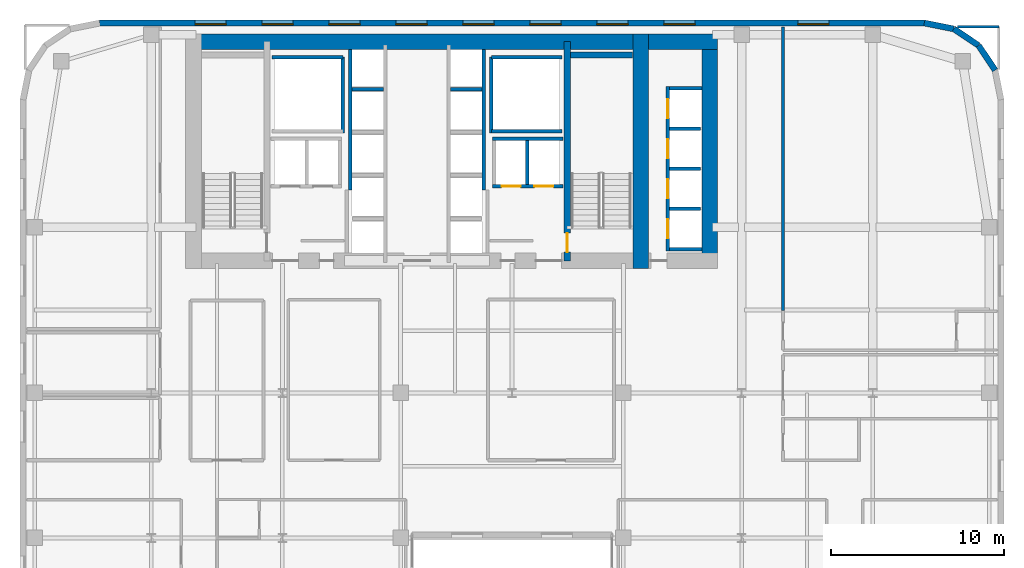
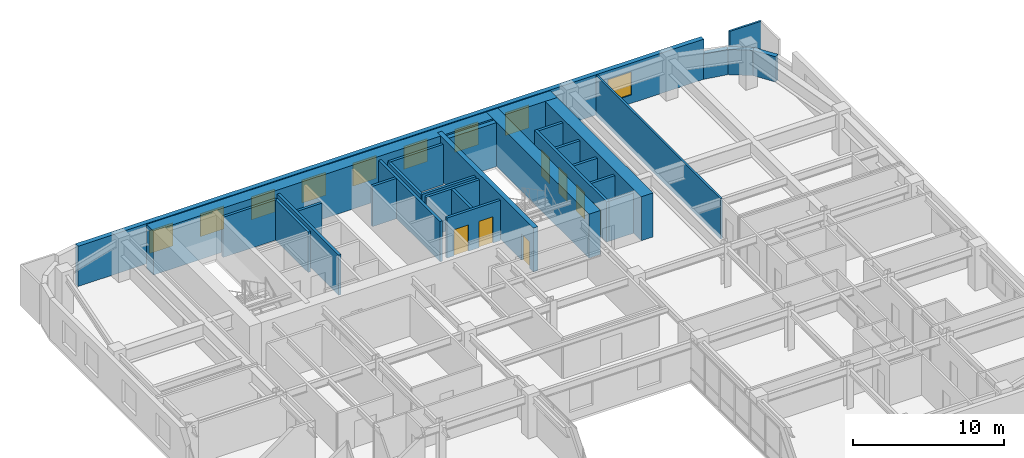
# One storey, part 14 of 16: 30 walls, 9 windows, 7 doors, 16 openings.
"""IFC4 building model written with IfcOpenShell, lengths in metres."""

from ifc_helpers import new_model, si_unit, direction, frame, frame_2d, origin, place, context, subcontext, project, spatial, rectangle, extrude, source, transform, mapped, material, layer, layer_set, type_object, type_shapes, element, fill, save


model = new_model("IFC4")

# Units and contexts
model_context = context("Model", 3, precision=1e-05, world=origin(), true_north=direction((0.0, 1.0)))
body_context = subcontext(model_context, "Body", "Model", "MODEL_VIEW")
ifc_project = project(units=[si_unit("LENGTHUNIT", "METRE"), si_unit("AREAUNIT", "SQUARE_METRE"), si_unit("VOLUMEUNIT", "CUBIC_METRE"), si_unit("PLANEANGLEUNIT", "RADIAN"), si_unit("MASSUNIT", "GRAM", prefix="KILO")], contexts=[model_context])

# Site, building, storey
site_placement = place(None, origin())
site = spatial("IfcSite", under=ifc_project, at=site_placement, CompositionType="ELEMENT")
building_placement = place(site_placement, origin())
building = spatial("IfcBuilding", under=site, at=building_placement, Name="Tolvann Quenvar Hotel", CompositionType="ELEMENT")
storey_placement = place(building_placement, frame((0.0, 0.0, 92.35009765625)))
storey = spatial("IfcBuildingStorey", under=building, at=storey_placement, Name="L23", CompositionType="ELEMENT", Elevation=92.35009765625)

# Walls
ifc_material_1 = material(Name="Concrete S80 (80 MPa)", Category="concrete")
ifc_layer_1 = layer(ifc_material_1, 0.89990234375)
ifc_layer_set_1 = layer_set([ifc_layer_1], Name="Concrete S80 (80 MPa)")
wall_type_1 = type_object("IfcWallType", Name="WALL_CORE_900", PredefinedType="SHEAR", material=ifc_layer_set_1)
wall_1_placement = place(storey_placement, frame((9.60009765625, 44.75, 0.0), z_axis=(0.0, 0.0, 1.0), x_axis=(1.0, 0.0, 0.0)))
element("IfcWall", 1, at=wall_1_placement, inside=storey, type_object=wall_type_1, Name="Rear Core N Shear Wall (L23)", PredefinedType="SHEAR", context=body_context, shape_type="SweptSolid", body=[
    extrude(rectangle(XDim=26.7998046875, YDim=0.89990234375, at=frame_2d((13.39990234375, 0.0))), origin(), (0.0, 0.0, 1.0), 3.5498046875),
])
wall_2_placement = place(storey_placement, frame((35.949951171875, 31.60009765625, 0.0), z_axis=(0.0, 0.0, 1.0), x_axis=(0.0, 1.0, 0.0)))
element("IfcWall", 2, at=wall_2_placement, inside=storey, type_object=wall_type_1, Name="Rear Core E Shear Wall (L23)", PredefinedType="SHEAR", context=body_context, shape_type="SweptSolid", body=[
    extrude(rectangle(XDim=13.599853515625, YDim=0.89990234375, at=frame_2d((6.7998046875, 0.0))), origin(), (0.0, 0.0, 1.0), 3.5498046875),
])
wall_3_placement = place(storey_placement, frame((36.39990234375, 44.75, 0.0), z_axis=(0.0, 0.0, 1.0), x_axis=(1.0, 0.0, 0.0)))
element("IfcWall", 3, at=wall_3_placement, inside=storey, type_object=wall_type_1, Name="Core East Annex Shear Wall ANN-N (L23)", PredefinedType="SHEAR", context=body_context, shape_type="SweptSolid", body=[
    extrude(rectangle(XDim=4.0, YDim=0.89990234375, at=frame_2d((2.0, 0.0))), origin(), (0.0, 0.0, 1.0), 3.5498046875),
])
wall_4_placement = place(storey_placement, frame((39.949951171875, 31.60009765625, 0.0), z_axis=(0.0, 0.0, 1.0), x_axis=(0.0, 1.0, 0.0)))
element("IfcWall", 4, at=wall_4_placement, inside=storey, type_object=wall_type_1, Name="Core East Annex Shear Wall ANN-E (L23)", PredefinedType="SHEAR", context=body_context, shape_type="SweptSolid", body=[
    extrude(rectangle(XDim=13.599853515625, YDim=0.89990234375, at=frame_2d((6.7998046875, 0.0))), origin(), (0.0, 0.0, 1.0), 3.5498046875),
])

# Wall, opening, door
ifc_material_2 = material(Name="Concrete S65 (65 MPa)", Category="concrete")
ifc_layer_2 = layer(ifc_material_2, 0.35009765625)
ifc_layer_set_2 = layer_set([ifc_layer_2], Name="Concrete S65 (65 MPa)")
wall_type_2 = type_object("IfcWallType", Name="WALL_CORE_INT_350", PredefinedType="SHEAR", material=ifc_layer_set_2)
wall_5_placement = place(storey_placement, frame((31.699951171875, 32.050048828125, 0.0), z_axis=(0.0, 0.0, 1.0), x_axis=(0.0, 1.0, 0.0)))
wall_5 = element("IfcWall", 5, at=wall_5_placement, inside=storey, type_object=wall_type_2, Name="Core Internal Web Shear Wall WEB-E (L23)", PredefinedType="SHEAR", context=body_context, shape_type="SweptSolid", body=[
    extrude(rectangle(XDim=12.699951171875, YDim=0.35009765625, at=frame_2d((6.35009765625, 0.0))), origin(), (0.0, 0.0, 1.0), 3.5498046875),
])
opening_1_placement = place(wall_5_placement, frame((1.60009765625, 0.0, 0.0), z_axis=(0.0, 0.0, 1.0), x_axis=(-1.0, 0.0, 0.0)))
opening_1 = element("IfcOpeningElement", 6, at=opening_1_placement, cuts=wall_5, Name="Opening FD-120", PredefinedType="OPENING", context=body_context, shape_type="SweptSolid", body=[
    extrude(rectangle(XDim=1.10009765625, YDim=2.1201171875, at=frame_2d((0.550048828125, 1.06005859375))), frame((0.0, 0.18505859375, 0.0), z_axis=(0.0, -1.0, 0.0), x_axis=(1.0, 0.0, 0.0)), (0.0, 0.0, 1.0), 0.3701171875),
])
ifc_material_3 = material(Name="Pressed galvanised steel fire-rated door set", Category="steel")
door_type_1 = type_object("IfcDoorType", Name="DOOR_FIRE_STAIR_1100", OperationType="NOTDEFINED", PredefinedType="DOOR", material=ifc_material_3)
shared_shape_1 = source(origin(), body_context, "Body", "SweptSolid", [
    extrude(rectangle(XDim=1.10009765625, YDim=2.1201171875, at=frame_2d((0.550048828125, 1.06005859375))), frame((0.0, 0.02490234375, 0.0), z_axis=(0.0, -1.0, 0.0), x_axis=(1.0, 0.0, 0.0)), (0.0, 0.0, 1.0), 0.050048828125),
])
type_shapes(door_type_1, [shared_shape_1])
door_1_placement = place(opening_1_placement, origin())
door_1 = element("IfcDoor", 7, at=door_1_placement, inside=storey, type_object=door_type_1, Name="Exit Stair ST-C2 Fire Door (L23)", OperationType="SINGLE_SWING_RIGHT", OverallHeight=2.1201171875, OverallWidth=1.10009765625, PredefinedType="DOOR", context=body_context, shape_type="MappedRepresentation", body=[
    mapped(shared_shape_1, transform((0.0, 0.0, 0.0), x_axis=(1.0, 0.0, 0.0), y_axis=(0.0, 1.0, 0.0), z_axis=(0.0, 0.0, 1.0), scale=1.0)),
])
fill(opening_1, door_1)

# Walls
wall_6_placement = place(storey_placement, frame((31.8798828125, 43.97509765625, 0.0), z_axis=(0.0, 0.0, 1.0), x_axis=(1.0, 0.0, 0.0)))
element("IfcWall", 8, at=wall_6_placement, inside=storey, type_object=wall_type_2, Name="Core Stair North Closing Shear Wall STC2-N (L23)", PredefinedType="SHEAR", context=body_context, shape_type="SweptSolid", body=[
    extrude(rectangle(XDim=3.60009765625, YDim=0.35009765625, at=frame_2d((1.800048828125, 0.0))), origin(), (0.0, 0.0, 1.0), 3.5498046875),
])
ifc_material_4 = material(Name="Kiln-fired red and buff architectural clay brickwork and terracotta masonry", Category="masonry")
ifc_layer_3 = layer(ifc_material_4, 0.35009765625)
ifc_layer_set_3 = layer_set([ifc_layer_3], Name="Kiln-fired red and buff architectural clay brickwork and terracotta masonry")
wall_type_3 = type_object("IfcWallType", Name="WALL_EXT_BRICK_350", PredefinedType="SOLIDWALL", material=ifc_layer_set_3)
for number, where, z_axis, x_axis, name in (
    (9, (56.485107421875, 43.092041015625, 0.0), (0.0, 0.0, 1.0), (-0.55554893791, 0.831483840845, 0.0), "Exterior Chicago Brick Wall L23-E15"),
    (10, (55.526611328125, 44.526611328125, 0.0), (0.0, 0.0, 1.0), (-0.831483840845, 0.55554893791, 0.0), "Exterior Chicago Brick Wall L23-E16"),
):
    element("IfcWall", number, at=place(storey_placement, frame(where, z_axis=z_axis, x_axis=x_axis)), inside=storey, type_object=wall_type_3, Name=name, PredefinedType="SOLIDWALL", context=body_context, shape_type="SweptSolid", body=[
        extrude(rectangle(XDim=1.725341796875, YDim=0.35009765625, at=frame_2d((0.86279296875, 0.0))), origin(), (0.0, 0.0, 1.0), 2.039794921875),
    ])
wall_7_placement = place(storey_placement, frame((54.092041015625, 45.485107421875, 0.0), z_axis=(0.0, 0.0, 1.0), x_axis=(-0.980800971659, 0.195011420161, 0.0)))
element("IfcWall", 11, at=wall_7_placement, inside=storey, type_object=wall_type_3, Name="Exterior Chicago Brick Wall L23-E17", PredefinedType="SOLIDWALL", context=body_context, shape_type="SweptSolid", body=[
    extrude(rectangle(XDim=1.74267578125, YDim=0.35009765625, at=frame_2d((0.871337890625, 0.0))), origin(), (0.0, 0.0, 1.0), 2.039794921875),
])

# Wall, openings, windows
wall_8_placement = place(storey_placement, frame((52.3828125, 45.824951171875, 0.0), z_axis=(0.0, 0.0, 1.0), x_axis=(-1.0, 0.0, 0.0)))
wall_8 = element("IfcWall", 12, at=wall_8_placement, inside=storey, type_object=wall_type_3, Name="Exterior Chicago Brick Wall L23-E18", PredefinedType="SOLIDWALL", context=body_context, shape_type="SweptSolid", body=[
    extrude(rectangle(XDim=47.765625, YDim=0.35009765625, at=frame_2d((23.8828125, 0.0))), origin(), (0.0, 0.0, 1.0), 3.25),
])
opening_2_placement = place(wall_8_placement, frame((5.52099609375, 0.0, 0.679931640625)))
opening_2 = element("IfcOpeningElement", 13, at=opening_2_placement, cuts=wall_8, Name="Opening W-03", PredefinedType="OPENING", context=body_context, shape_type="SweptSolid", body=[
    extrude(rectangle(XDim=1.800048828125, YDim=1.85009765625, at=frame_2d((0.89990234375, 0.925048828125))), frame((0.0, 0.18505859375, 0.0), z_axis=(0.0, -1.0, 0.0), x_axis=(1.0, 0.0, 0.0)), (0.0, 0.0, 1.0), 0.3701171875),
])
opening_3_placement = place(wall_8_placement, frame((13.281982421875, 0.0, 0.679931640625)))
opening_3 = element("IfcOpeningElement", 14, at=opening_3_placement, cuts=wall_8, Name="Opening W-03", PredefinedType="OPENING", context=body_context, shape_type="SweptSolid", body=[
    extrude(rectangle(XDim=1.800048828125, YDim=1.85009765625, at=frame_2d((0.89990234375, 0.925048828125))), frame((0.0, 0.18505859375, 0.0), z_axis=(0.0, -1.0, 0.0), x_axis=(1.0, 0.0, 0.0)), (0.0, 0.0, 1.0), 0.3701171875),
])
opening_4_placement = place(wall_8_placement, frame((17.162109375, 0.0, 0.679931640625)))
opening_4 = element("IfcOpeningElement", 15, at=opening_4_placement, cuts=wall_8, Name="Opening W-03", PredefinedType="OPENING", context=body_context, shape_type="SweptSolid", body=[
    extrude(rectangle(XDim=1.800048828125, YDim=1.85009765625, at=frame_2d((0.89990234375, 0.925048828125))), frame((0.0, 0.18505859375, 0.0), z_axis=(0.0, -1.0, 0.0), x_axis=(1.0, 0.0, 0.0)), (0.0, 0.0, 1.0), 0.3701171875),
])
opening_5_placement = place(wall_8_placement, frame((21.04296875, 0.0, 0.679931640625)))
opening_5 = element("IfcOpeningElement", 16, at=opening_5_placement, cuts=wall_8, Name="Opening W-03", PredefinedType="OPENING", context=body_context, shape_type="SweptSolid", body=[
    extrude(rectangle(XDim=1.800048828125, YDim=1.85009765625, at=frame_2d((0.89990234375, 0.925048828125))), frame((0.0, 0.18505859375, 0.0), z_axis=(0.0, -1.0, 0.0), x_axis=(1.0, 0.0, 0.0)), (0.0, 0.0, 1.0), 0.3701171875),
])
opening_6_placement = place(wall_8_placement, frame((24.923095703125, 0.0, 0.679931640625)))
opening_6 = element("IfcOpeningElement", 17, at=opening_6_placement, cuts=wall_8, Name="Opening W-03", PredefinedType="OPENING", context=body_context, shape_type="SweptSolid", body=[
    extrude(rectangle(XDim=1.800048828125, YDim=1.85009765625, at=frame_2d((0.89990234375, 0.925048828125))), frame((0.0, 0.18505859375, 0.0), z_axis=(0.0, -1.0, 0.0), x_axis=(1.0, 0.0, 0.0)), (0.0, 0.0, 1.0), 0.3701171875),
])
opening_7_placement = place(wall_8_placement, frame((28.803955078125, 0.0, 0.679931640625)))
opening_7 = element("IfcOpeningElement", 18, at=opening_7_placement, cuts=wall_8, Name="Opening W-03", PredefinedType="OPENING", context=body_context, shape_type="SweptSolid", body=[
    extrude(rectangle(XDim=1.800048828125, YDim=1.85009765625, at=frame_2d((0.89990234375, 0.925048828125))), frame((0.0, 0.18505859375, 0.0), z_axis=(0.0, -1.0, 0.0), x_axis=(1.0, 0.0, 0.0)), (0.0, 0.0, 1.0), 0.3701171875),
])
opening_8_placement = place(wall_8_placement, frame((32.68408203125, 0.0, 0.679931640625)))
opening_8 = element("IfcOpeningElement", 19, at=opening_8_placement, cuts=wall_8, Name="Opening W-03", PredefinedType="OPENING", context=body_context, shape_type="SweptSolid", body=[
    extrude(rectangle(XDim=1.800048828125, YDim=1.85009765625, at=frame_2d((0.89990234375, 0.925048828125))), frame((0.0, 0.18505859375, 0.0), z_axis=(0.0, -1.0, 0.0), x_axis=(1.0, 0.0, 0.0)), (0.0, 0.0, 1.0), 0.3701171875),
])
opening_9_placement = place(wall_8_placement, frame((36.56396484375, 0.0, 0.679931640625)))
opening_9 = element("IfcOpeningElement", 20, at=opening_9_placement, cuts=wall_8, Name="Opening W-03", PredefinedType="OPENING", context=body_context, shape_type="SweptSolid", body=[
    extrude(rectangle(XDim=1.800048828125, YDim=1.85009765625, at=frame_2d((0.89990234375, 0.925048828125))), frame((0.0, 0.18505859375, 0.0), z_axis=(0.0, -1.0, 0.0), x_axis=(1.0, 0.0, 0.0)), (0.0, 0.0, 1.0), 0.3701171875),
])
opening_10_placement = place(wall_8_placement, frame((40.445068359375, 0.0, 0.679931640625)))
opening_10 = element("IfcOpeningElement", 21, at=opening_10_placement, cuts=wall_8, Name="Opening W-03", PredefinedType="OPENING", context=body_context, shape_type="SweptSolid", body=[
    extrude(rectangle(XDim=1.800048828125, YDim=1.85009765625, at=frame_2d((0.89990234375, 0.925048828125))), frame((0.0, 0.18505859375, 0.0), z_axis=(0.0, -1.0, 0.0), x_axis=(1.0, 0.0, 0.0)), (0.0, 0.0, 1.0), 0.3701171875),
])
ifc_material_5 = material(Name="Thermally broken bronze-anodised aluminium frame with double low-E glazing", Category="aluminium")
window_type = type_object("IfcWindowType", Name="WIN_CHI_1800x2050", PartitioningType="TRIPLE_PANEL_HORIZONTAL", PredefinedType="WINDOW", material=ifc_material_5)
shared_shape_2 = source(origin(), body_context, "Body", "SweptSolid", [
    extrude(rectangle(XDim=1.800048828125, YDim=1.85009765625, at=frame_2d((0.89990234375, 0.925048828125))), frame((0.0, 0.090087890625, 0.0), z_axis=(0.0, -1.0, 0.0), x_axis=(1.0, 0.0, 0.0)), (0.0, 0.0, 1.0), 0.06005859375),
])
type_shapes(window_type, [shared_shape_2])
window_1_placement = place(opening_2_placement, origin())
window_1 = element("IfcWindow", 22, at=window_1_placement, inside=storey, type_object=window_type, Name="Chicago Window W-03 (EW-L23-E18-W01)", OverallHeight=1.85009765625, OverallWidth=1.800048828125, PartitioningType="TRIPLE_PANEL_HORIZONTAL", PredefinedType="WINDOW", context=body_context, shape_type="MappedRepresentation", body=[
    mapped(shared_shape_2, transform((0.0, 0.0, 0.0), x_axis=(1.0, 0.0, 0.0), y_axis=(0.0, 1.0, 0.0), z_axis=(0.0, 0.0, 1.0), scale=1.0)),
])
fill(opening_2, window_1)
window_2_placement = place(opening_3_placement, origin())
window_2 = element("IfcWindow", 23, at=window_2_placement, inside=storey, type_object=window_type, Name="Chicago Window W-03 (EW-L23-E18-W02)", OverallHeight=1.85009765625, OverallWidth=1.800048828125, PartitioningType="TRIPLE_PANEL_HORIZONTAL", PredefinedType="WINDOW", context=body_context, shape_type="MappedRepresentation", body=[
    mapped(shared_shape_2, transform((0.0, 0.0, 0.0), x_axis=(1.0, 0.0, 0.0), y_axis=(0.0, 1.0, 0.0), z_axis=(0.0, 0.0, 1.0), scale=1.0)),
])
fill(opening_3, window_2)
window_3_placement = place(opening_4_placement, origin())
window_3 = element("IfcWindow", 24, at=window_3_placement, inside=storey, type_object=window_type, Name="Chicago Window W-03 (EW-L23-E18-W03)", OverallHeight=1.85009765625, OverallWidth=1.800048828125, PartitioningType="TRIPLE_PANEL_HORIZONTAL", PredefinedType="WINDOW", context=body_context, shape_type="MappedRepresentation", body=[
    mapped(shared_shape_2, transform((0.0, 0.0, 0.0), x_axis=(1.0, 0.0, 0.0), y_axis=(0.0, 1.0, 0.0), z_axis=(0.0, 0.0, 1.0), scale=1.0)),
])
fill(opening_4, window_3)
window_4_placement = place(opening_5_placement, origin())
window_4 = element("IfcWindow", 25, at=window_4_placement, inside=storey, type_object=window_type, Name="Chicago Window W-03 (EW-L23-E18-W04)", OverallHeight=1.85009765625, OverallWidth=1.800048828125, PartitioningType="TRIPLE_PANEL_HORIZONTAL", PredefinedType="WINDOW", context=body_context, shape_type="MappedRepresentation", body=[
    mapped(shared_shape_2, transform((0.0, 0.0, 0.0), x_axis=(1.0, 0.0, 0.0), y_axis=(0.0, 1.0, 0.0), z_axis=(0.0, 0.0, 1.0), scale=1.0)),
])
fill(opening_5, window_4)
window_5_placement = place(opening_6_placement, origin())
window_5 = element("IfcWindow", 26, at=window_5_placement, inside=storey, type_object=window_type, Name="Chicago Window W-03 (EW-L23-E18-W05)", OverallHeight=1.85009765625, OverallWidth=1.800048828125, PartitioningType="TRIPLE_PANEL_HORIZONTAL", PredefinedType="WINDOW", context=body_context, shape_type="MappedRepresentation", body=[
    mapped(shared_shape_2, transform((0.0, 0.0, 0.0), x_axis=(1.0, 0.0, 0.0), y_axis=(0.0, 1.0, 0.0), z_axis=(0.0, 0.0, 1.0), scale=1.0)),
])
fill(opening_6, window_5)
window_6_placement = place(opening_7_placement, origin())
window_6 = element("IfcWindow", 27, at=window_6_placement, inside=storey, type_object=window_type, Name="Chicago Window W-03 (EW-L23-E18-W06)", OverallHeight=1.85009765625, OverallWidth=1.800048828125, PartitioningType="TRIPLE_PANEL_HORIZONTAL", PredefinedType="WINDOW", context=body_context, shape_type="MappedRepresentation", body=[
    mapped(shared_shape_2, transform((0.0, 0.0, 0.0), x_axis=(1.0, 0.0, 0.0), y_axis=(0.0, 1.0, 0.0), z_axis=(0.0, 0.0, 1.0), scale=1.0)),
])
fill(opening_7, window_6)
window_7_placement = place(opening_8_placement, origin())
window_7 = element("IfcWindow", 28, at=window_7_placement, inside=storey, type_object=window_type, Name="Chicago Window W-03 (EW-L23-E18-W07)", OverallHeight=1.85009765625, OverallWidth=1.800048828125, PartitioningType="TRIPLE_PANEL_HORIZONTAL", PredefinedType="WINDOW", context=body_context, shape_type="MappedRepresentation", body=[
    mapped(shared_shape_2, transform((0.0, 0.0, 0.0), x_axis=(1.0, 0.0, 0.0), y_axis=(0.0, 1.0, 0.0), z_axis=(0.0, 0.0, 1.0), scale=1.0)),
])
fill(opening_8, window_7)
window_8_placement = place(opening_9_placement, origin())
window_8 = element("IfcWindow", 29, at=window_8_placement, inside=storey, type_object=window_type, Name="Chicago Window W-03 (EW-L23-E18-W08)", OverallHeight=1.85009765625, OverallWidth=1.800048828125, PartitioningType="TRIPLE_PANEL_HORIZONTAL", PredefinedType="WINDOW", context=body_context, shape_type="MappedRepresentation", body=[
    mapped(shared_shape_2, transform((0.0, 0.0, 0.0), x_axis=(1.0, 0.0, 0.0), y_axis=(0.0, 1.0, 0.0), z_axis=(0.0, 0.0, 1.0), scale=1.0)),
])
fill(opening_9, window_8)
window_9_placement = place(opening_10_placement, origin())
window_9 = element("IfcWindow", 30, at=window_9_placement, inside=storey, type_object=window_type, Name="Chicago Window W-03 (EW-L23-E18-W09)", OverallHeight=1.85009765625, OverallWidth=1.800048828125, PartitioningType="TRIPLE_PANEL_HORIZONTAL", PredefinedType="WINDOW", context=body_context, shape_type="MappedRepresentation", body=[
    mapped(shared_shape_2, transform((0.0, 0.0, 0.0), x_axis=(1.0, 0.0, 0.0), y_axis=(0.0, 1.0, 0.0), z_axis=(0.0, 0.0, 1.0), scale=1.0)),
])
fill(opening_10, window_9)

# Walls
ifc_material_6 = material(Name="Acoustic twin-stud fire-rated gypsum plasterboard partition")
ifc_layer_4 = layer(ifc_material_6, 0.14990234375)
ifc_layer_set_4 = layer_set([ifc_layer_4], Name="Acoustic twin-stud fire-rated gypsum plasterboard partition")
wall_type_4 = type_object("IfcWallType", Name="WALL_PART_SUITE_150", PredefinedType="PARTITIONING", material=ifc_layer_set_4)
wall_9_placement = place(storey_placement, frame((54.303955078125, 45.6201171875, 0.0), z_axis=(0.0, 0.0, 1.0), x_axis=(1.0, 0.0, 0.0)))
element("IfcWall", 31, at=wall_9_placement, inside=storey, type_object=wall_type_4, Name="Interior Partition PT-SPC-L23-RM-NE01-E5", PredefinedType="PARTITIONING", context=body_context, shape_type="SweptSolid", body=[
    extrude(rectangle(XDim=2.39599609375, YDim=0.14990234375, at=frame_2d((1.197998046875, 0.0))), origin(), (0.0, 0.0, 1.0), 3.25),
])
wall_10_placement = place(storey_placement, frame((44.199951171875, 29.169921875, 0.0), z_axis=(0.0, 0.0, 1.0), x_axis=(0.0, 1.0, 0.0)))
element("IfcWall", 32, at=wall_10_placement, inside=storey, type_object=wall_type_4, Name="Interior Partition PT-SPC-L23-RM-NE01-E6", PredefinedType="PARTITIONING", context=body_context, shape_type="SweptSolid", body=[
    extrude(rectangle(XDim=16.425048828125, YDim=0.14990234375, at=frame_2d((8.21240234375, 0.0))), origin(), (0.0, 0.0, 1.0), 3.25),
])
ifc_material_7 = material(Name="Concrete N40 (40 MPa)", Category="concrete")
ifc_layer_5 = layer(ifc_material_7, 0.199951171875)
ifc_layer_set_5 = layer_set([ifc_layer_5], Name="Concrete N40 (40 MPa)")
wall_type_5 = type_object("IfcWallType", Name="WALL_SHAFT_200", PredefinedType="SOLIDWALL", material=ifc_layer_set_5)
wall_11_placement = place(storey_placement, frame((18.699951171875, 39.449951171875, 0.0), z_axis=(0.0, 0.0, 1.0), x_axis=(0.0, 1.0, 0.0)))
element("IfcWall", 33, at=wall_11_placement, inside=storey, type_object=wall_type_5, Name="Service Riser W Shaft Wall IN (L23)", PredefinedType="SOLIDWALL", context=body_context, shape_type="SweptSolid", body=[
    extrude(rectangle(XDim=4.400146484375, YDim=0.199951171875, at=frame_2d((2.2001953125, 0.0))), origin(), (0.0, 0.0, 1.0), 3.25),
])
wall_12_placement = place(storey_placement, frame((14.60009765625, 43.85009765625, 0.0), z_axis=(0.0, 0.0, 1.0), x_axis=(1.0, 0.0, 0.0)))
element("IfcWall", 34, at=wall_12_placement, inside=storey, type_object=wall_type_5, Name="Service Riser W Shaft Wall N (L23)", PredefinedType="SOLIDWALL", context=body_context, shape_type="SweptSolid", body=[
    extrude(rectangle(XDim=4.099853515625, YDim=0.199951171875, at=frame_2d((2.0498046875, 0.0))), origin(), (0.0, 0.0, 1.0), 3.25),
])
wall_13_placement = place(storey_placement, frame((27.300048828125, 39.449951171875, 0.0), z_axis=(0.0, 0.0, 1.0), x_axis=(0.0, 1.0, 0.0)))
element("IfcWall", 35, at=wall_13_placement, inside=storey, type_object=wall_type_5, Name="Service Riser E Shaft Wall IN (L23)", PredefinedType="SOLIDWALL", context=body_context, shape_type="SweptSolid", body=[
    extrude(rectangle(XDim=4.400146484375, YDim=0.199951171875, at=frame_2d((2.2001953125, 0.0))), origin(), (0.0, 0.0, 1.0), 3.25),
])
for number, where, z_axis, x_axis, name in (
    (36, (27.300048828125, 39.550048828125, 0.0), (0.0, 0.0, 1.0), (1.0, 0.0, 0.0), "Service Riser E Shaft Wall S (L23)"),
    (37, (27.300048828125, 43.85009765625, 0.0), (0.0, 0.0, 1.0), (1.0, 0.0, 0.0), "Service Riser E Shaft Wall N (L23)"),
):
    element("IfcWall", number, at=place(storey_placement, frame(where, z_axis=z_axis, x_axis=x_axis)), inside=storey, type_object=wall_type_5, Name=name, PredefinedType="SOLIDWALL", context=body_context, shape_type="SweptSolid", body=[
        extrude(rectangle(XDim=4.099853515625, YDim=0.199951171875, at=frame_2d((2.0498046875, 0.0))), origin(), (0.0, 0.0, 1.0), 3.25),
    ])
wall_14_placement = place(storey_placement, frame((19.1298828125, 36.159912109375, 0.0), z_axis=(0.0, 0.0, 1.0), x_axis=(0.0, 1.0, 0.0)))
element("IfcWall", 38, at=wall_14_placement, inside=storey, type_object=wall_type_5, Name="Lift Bank E21.1C1 Hoistway Rear Wall (L23)", PredefinedType="SOLIDWALL", context=body_context, shape_type="SweptSolid", body=[
    extrude(rectangle(XDim=8.135986328125, YDim=0.199951171875, at=frame_2d((4.06787109375, 0.0))), origin(), (0.0, 0.0, 1.0), 3.25),
])
wall_15_placement = place(storey_placement, frame((19.22998046875, 42.0, 0.0), z_axis=(0.0, 0.0, 1.0), x_axis=(1.0, 0.0, 0.0)))
element("IfcWall", 39, at=wall_15_placement, inside=storey, type_object=wall_type_5, Name="Lift Bank E21.1C1 Divider Wall 4 (L23)", PredefinedType="SOLIDWALL", context=body_context, shape_type="SweptSolid", body=[
    extrude(rectangle(XDim=1.840087890625, YDim=0.199951171875, at=frame_2d((0.919921875, 0.0))), origin(), (0.0, 0.0, 1.0), 3.25),
])

# Wall, openings, doors
wall_16_placement = place(storey_placement, frame((27.375, 36.3798828125, 0.0), z_axis=(0.0, 0.0, 1.0), x_axis=(1.0, 0.0, 0.0)))
wall_16 = element("IfcWall", 40, at=wall_16_placement, inside=storey, type_object=wall_type_5, Name="Lift Bank SEC1 Hoistway Front Wall (L23)", PredefinedType="SOLIDWALL", context=body_context, shape_type="SweptSolid", body=[
    extrude(rectangle(XDim=4.074951171875, YDim=0.199951171875, at=frame_2d((2.03759765625, 0.0))), origin(), (0.0, 0.0, 1.0), 3.25),
])
opening_11_placement = place(wall_16_placement, frame((0.52490234375, 0.0, 0.0)))
opening_11 = element("IfcOpeningElement", 41, at=opening_11_placement, cuts=wall_16, Name="Opening LD-01", PredefinedType="OPENING", context=body_context, shape_type="SweptSolid", body=[
    extrude(rectangle(XDim=1.10009765625, YDim=2.1201171875, at=frame_2d((0.550048828125, 1.06005859375))), frame((0.0, 0.10986328125, 0.0), z_axis=(0.0, -1.0, 0.0), x_axis=(1.0, 0.0, 0.0)), (0.0, 0.0, 1.0), 0.219970703125),
])
opening_12_placement = place(wall_16_placement, frame((2.425048828125, 0.0, 0.0)))
opening_12 = element("IfcOpeningElement", 42, at=opening_12_placement, cuts=wall_16, Name="Opening LD-01", PredefinedType="OPENING", context=body_context, shape_type="SweptSolid", body=[
    extrude(rectangle(XDim=1.10009765625, YDim=2.1201171875, at=frame_2d((0.550048828125, 1.06005859375))), frame((0.0, 0.10986328125, 0.0), z_axis=(0.0, -1.0, 0.0), x_axis=(1.0, 0.0, 0.0)), (0.0, 0.0, 1.0), 0.219970703125),
])
ifc_material_8 = material(Name="Brushed 316 stainless steel automatic sliding lift landing door", Category="steel")
door_type_2 = type_object("IfcDoorType", Name="DOOR_LIFT_SLIDE_1100", OperationType="NOTDEFINED", PredefinedType="DOOR", material=ifc_material_8)
shared_shape_3 = source(origin(), body_context, "Body", "SweptSolid", [
    extrude(rectangle(XDim=1.10009765625, YDim=2.1201171875, at=frame_2d((0.550048828125, 1.06005859375))), frame((0.0, 0.02490234375, 0.0), z_axis=(0.0, -1.0, 0.0), x_axis=(1.0, 0.0, 0.0)), (0.0, 0.0, 1.0), 0.050048828125),
])
type_shapes(door_type_2, [shared_shape_3])
door_2_placement = place(opening_11_placement, origin())
door_2 = element("IfcDoor", 43, at=door_2_placement, inside=storey, type_object=door_type_2, Name="Lift SV-2 Sliding Landing Door (L23)", OperationType="SLIDING_TO_LEFT", OverallHeight=2.1201171875, OverallWidth=1.10009765625, PredefinedType="DOOR", context=body_context, shape_type="MappedRepresentation", body=[
    mapped(shared_shape_3, transform((0.0, 0.0, 0.0), x_axis=(1.0, 0.0, 0.0), y_axis=(0.0, 1.0, 0.0), z_axis=(0.0, 0.0, 1.0), scale=1.0)),
])
fill(opening_11, door_2)
door_3_placement = place(opening_12_placement, origin())
door_3 = element("IfcDoor", 44, at=door_3_placement, inside=storey, type_object=door_type_2, Name="Lift FF-2 Sliding Landing Door (L23)", OperationType="SLIDING_TO_RIGHT", OverallHeight=2.1201171875, OverallWidth=1.10009765625, PredefinedType="DOOR", context=body_context, shape_type="MappedRepresentation", body=[
    mapped(shared_shape_3, transform((0.0, 0.0, 0.0), x_axis=(1.0, 0.0, 0.0), y_axis=(0.0, 1.0, 0.0), z_axis=(0.0, 0.0, 1.0), scale=1.0)),
])
fill(opening_12, door_3)

# Walls
wall_17_placement = place(storey_placement, frame((27.375, 39.1201171875, 0.0), z_axis=(0.0, 0.0, 1.0), x_axis=(1.0, 0.0, 0.0)))
element("IfcWall", 45, at=wall_17_placement, inside=storey, type_object=wall_type_5, Name="Lift Bank SEC1 Hoistway Rear Wall (L23)", PredefinedType="SOLIDWALL", context=body_context, shape_type="SweptSolid", body=[
    extrude(rectangle(XDim=4.074951171875, YDim=0.199951171875, at=frame_2d((2.03759765625, 0.0))), origin(), (0.0, 0.0, 1.0), 3.25),
])
wall_18_placement = place(storey_placement, frame((29.387451171875, 36.47998046875, 0.0), z_axis=(0.0, 0.0, 1.0), x_axis=(0.0, 1.0, 0.0)))
element("IfcWall", 46, at=wall_18_placement, inside=storey, type_object=wall_type_5, Name="Lift Bank SEC1 Divider Wall 1 (L23)", PredefinedType="SOLIDWALL", context=body_context, shape_type="SweptSolid", body=[
    extrude(rectangle(XDim=2.5400390625, YDim=0.199951171875, at=frame_2d((1.27001953125, 0.0))), origin(), (0.0, 0.0, 1.0), 3.25),
])
wall_19_placement = place(storey_placement, frame((26.8701171875, 36.159912109375, 0.0), z_axis=(0.0, 0.0, 1.0), x_axis=(0.0, 1.0, 0.0)))
element("IfcWall", 47, at=wall_19_placement, inside=storey, type_object=wall_type_5, Name="Lift Bank W24.9C1 Hoistway Rear Wall (L23)", PredefinedType="SOLIDWALL", context=body_context, shape_type="SweptSolid", body=[
    extrude(rectangle(XDim=8.135986328125, YDim=0.199951171875, at=frame_2d((4.06787109375, 0.0))), origin(), (0.0, 0.0, 1.0), 3.25),
])
wall_20_placement = place(storey_placement, frame((24.929931640625, 42.0, 0.0), z_axis=(0.0, 0.0, 1.0), x_axis=(1.0, 0.0, 0.0)))
element("IfcWall", 48, at=wall_20_placement, inside=storey, type_object=wall_type_5, Name="Lift Bank W24.9C1 Divider Wall 4 (L23)", PredefinedType="SOLIDWALL", context=body_context, shape_type="SweptSolid", body=[
    extrude(rectangle(XDim=1.840087890625, YDim=0.199951171875, at=frame_2d((0.919921875, 0.0))), origin(), (0.0, 0.0, 1.0), 3.25),
])

# Wall, openings, doors
wall_21_placement = place(storey_placement, frame((37.530029296875, 32.610107421875, 0.0), z_axis=(0.0, 0.0, 1.0), x_axis=(0.0, 1.0, 0.0)))
wall_21 = element("IfcWall", 49, at=wall_21_placement, inside=storey, type_object=wall_type_5, Name="Lift Bank W37.6C1 Hoistway Front Wall (L23)", PredefinedType="SOLIDWALL", context=body_context, shape_type="SweptSolid", body=[
    extrude(rectangle(XDim=9.539794921875, YDim=0.199951171875, at=frame_2d((4.77001953125, 0.0))), origin(), (0.0, 0.0, 1.0), 3.25),
])
opening_13_placement = place(wall_21_placement, frame((0.739990234375, 0.0, 0.0)))
opening_13 = element("IfcOpeningElement", 50, at=opening_13_placement, cuts=wall_21, Name="Opening LD-01", PredefinedType="OPENING", context=body_context, shape_type="SweptSolid", body=[
    extrude(rectangle(XDim=1.10009765625, YDim=2.1201171875, at=frame_2d((0.550048828125, 1.06005859375))), frame((0.0, 0.10986328125, 0.0), z_axis=(0.0, -1.0, 0.0), x_axis=(1.0, 0.0, 0.0)), (0.0, 0.0, 1.0), 0.219970703125),
])
opening_14_placement = place(wall_21_placement, frame((3.06005859375, 0.0, 0.0)))
opening_14 = element("IfcOpeningElement", 51, at=opening_14_placement, cuts=wall_21, Name="Opening LD-01", PredefinedType="OPENING", context=body_context, shape_type="SweptSolid", body=[
    extrude(rectangle(XDim=1.10009765625, YDim=2.1201171875, at=frame_2d((0.550048828125, 1.06005859375))), frame((0.0, 0.10986328125, 0.0), z_axis=(0.0, -1.0, 0.0), x_axis=(1.0, 0.0, 0.0)), (0.0, 0.0, 1.0), 0.219970703125),
])
opening_15_placement = place(wall_21_placement, frame((5.3798828125, 0.0, 0.0)))
opening_15 = element("IfcOpeningElement", 52, at=opening_15_placement, cuts=wall_21, Name="Opening LD-01", PredefinedType="OPENING", context=body_context, shape_type="SweptSolid", body=[
    extrude(rectangle(XDim=1.10009765625, YDim=2.1201171875, at=frame_2d((0.550048828125, 1.06005859375))), frame((0.0, 0.10986328125, 0.0), z_axis=(0.0, -1.0, 0.0), x_axis=(1.0, 0.0, 0.0)), (0.0, 0.0, 1.0), 0.219970703125),
])
opening_16_placement = place(wall_21_placement, frame((7.699951171875, 0.0, 0.0)))
opening_16 = element("IfcOpeningElement", 53, at=opening_16_placement, cuts=wall_21, Name="Opening LD-01", PredefinedType="OPENING", context=body_context, shape_type="SweptSolid", body=[
    extrude(rectangle(XDim=1.10009765625, YDim=2.1201171875, at=frame_2d((0.550048828125, 1.06005859375))), frame((0.0, 0.10986328125, 0.0), z_axis=(0.0, -1.0, 0.0), x_axis=(1.0, 0.0, 0.0)), (0.0, 0.0, 1.0), 0.219970703125),
])
door_4_placement = place(opening_13_placement, origin())
door_4 = element("IfcDoor", 54, at=door_4_placement, inside=storey, type_object=door_type_2, Name="Lift PL-1 Sliding Landing Door (L23)", OperationType="SLIDING_TO_LEFT", OverallHeight=2.1201171875, OverallWidth=1.10009765625, PredefinedType="DOOR", context=body_context, shape_type="MappedRepresentation", body=[
    mapped(shared_shape_3, transform((0.0, 0.0, 0.0), x_axis=(1.0, 0.0, 0.0), y_axis=(0.0, 1.0, 0.0), z_axis=(0.0, 0.0, 1.0), scale=1.0)),
])
fill(opening_13, door_4)
door_5_placement = place(opening_14_placement, origin())
door_5 = element("IfcDoor", 55, at=door_5_placement, inside=storey, type_object=door_type_2, Name="Lift PL-2 Sliding Landing Door (L23)", OperationType="SLIDING_TO_RIGHT", OverallHeight=2.1201171875, OverallWidth=1.10009765625, PredefinedType="DOOR", context=body_context, shape_type="MappedRepresentation", body=[
    mapped(shared_shape_3, transform((0.0, 0.0, 0.0), x_axis=(1.0, 0.0, 0.0), y_axis=(0.0, 1.0, 0.0), z_axis=(0.0, 0.0, 1.0), scale=1.0)),
])
fill(opening_14, door_5)
door_6_placement = place(opening_15_placement, origin())
door_6 = element("IfcDoor", 56, at=door_6_placement, inside=storey, type_object=door_type_2, Name="Lift PL-3 Sliding Landing Door (L23)", OperationType="SLIDING_TO_LEFT", OverallHeight=2.1201171875, OverallWidth=1.10009765625, PredefinedType="DOOR", context=body_context, shape_type="MappedRepresentation", body=[
    mapped(shared_shape_3, transform((0.0, 0.0, 0.0), x_axis=(1.0, 0.0, 0.0), y_axis=(0.0, 1.0, 0.0), z_axis=(0.0, 0.0, 1.0), scale=1.0)),
])
fill(opening_15, door_6)
door_7_placement = place(opening_16_placement, origin())
door_7 = element("IfcDoor", 57, at=door_7_placement, inside=storey, type_object=door_type_2, Name="Lift PL-4 Sliding Landing Door (L23)", OperationType="SLIDING_TO_RIGHT", OverallHeight=2.1201171875, OverallWidth=1.10009765625, PredefinedType="DOOR", context=body_context, shape_type="MappedRepresentation", body=[
    mapped(shared_shape_3, transform((0.0, 0.0, 0.0), x_axis=(1.0, 0.0, 0.0), y_axis=(0.0, 1.0, 0.0), z_axis=(0.0, 0.0, 1.0), scale=1.0)),
])
fill(opening_16, door_7)

# Walls
for number, where, z_axis, x_axis, name in (
    (58, (37.6298828125, 32.7099609375, 0.0), (0.0, 0.0, 1.0), (1.0, 0.0, 0.0), "Lift Bank W37.6C1 Hoistway Cheek Wall 1 (L23)"),
    (59, (37.6298828125, 42.050048828125, 0.0), (0.0, 0.0, 1.0), (1.0, 0.0, 0.0), "Lift Bank W37.6C1 Hoistway Cheek Wall 2 (L23)"),
):
    element("IfcWall", number, at=place(storey_placement, frame(where, z_axis=z_axis, x_axis=x_axis)), inside=storey, type_object=wall_type_5, Name=name, PredefinedType="SOLIDWALL", context=body_context, shape_type="SweptSolid", body=[
        extrude(rectangle(XDim=1.8701171875, YDim=0.199951171875, at=frame_2d((0.93505859375, 0.0))), origin(), (0.0, 0.0, 1.0), 3.25),
    ])
for number, where, z_axis, x_axis, name in (
    (60, (37.6298828125, 35.06005859375, 0.0), (0.0, 0.0, 1.0), (1.0, 0.0, 0.0), "Lift Bank W37.6C1 Divider Wall 1 (L23)"),
    (61, (37.6298828125, 37.3798828125, 0.0), (0.0, 0.0, 1.0), (1.0, 0.0, 0.0), "Lift Bank W37.6C1 Divider Wall 2 (L23)"),
    (62, (37.6298828125, 39.699951171875, 0.0), (0.0, 0.0, 1.0), (1.0, 0.0, 0.0), "Lift Bank W37.6C1 Divider Wall 3 (L23)"),
):
    element("IfcWall", number, at=place(storey_placement, frame(where, z_axis=z_axis, x_axis=x_axis)), inside=storey, type_object=wall_type_5, Name=name, PredefinedType="SOLIDWALL", context=body_context, shape_type="SweptSolid", body=[
        extrude(rectangle(XDim=1.800048828125, YDim=0.199951171875, at=frame_2d((0.89990234375, 0.0))), origin(), (0.0, 0.0, 1.0), 3.25),
    ])

save(model, "model.ifc")
